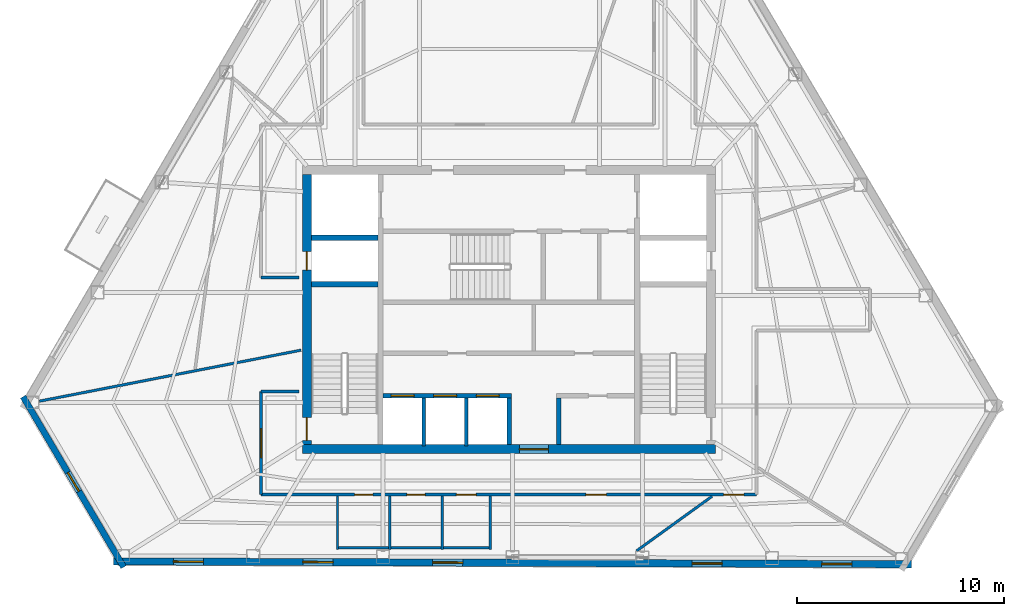
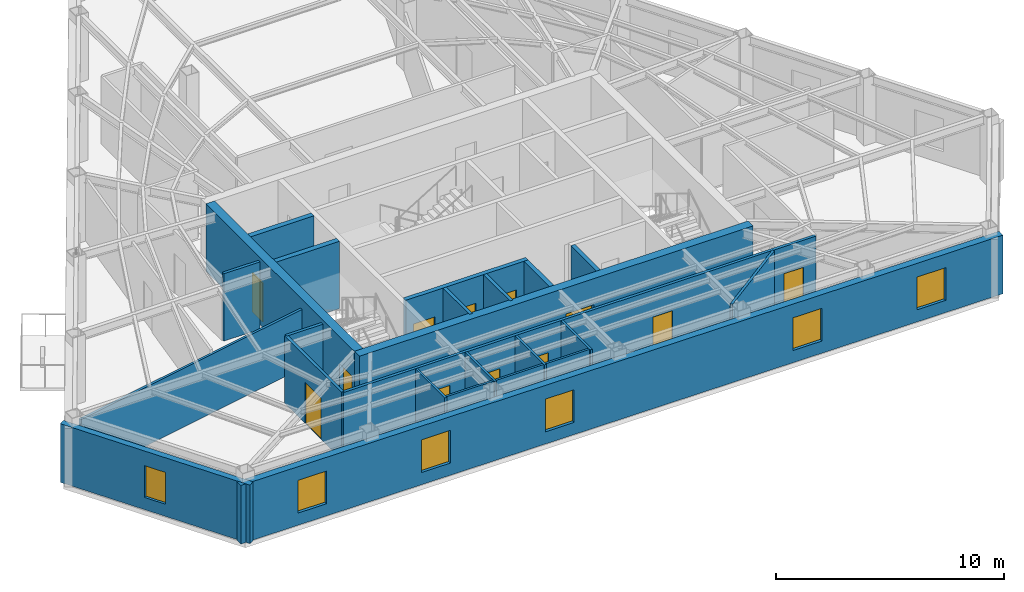
# One storey, part 6 of 10: 22 walls, 12 doors, 6 windows, 18 openings.
"""IFC4 building model written with IfcOpenShell, lengths in metres."""

from ifc_helpers import new_model, si_unit, direction, frame, frame_2d, origin, place, context, subcontext, project, spatial, rectangle, extrude, material, layer, layer_set, type_object, element, fill, save


model = new_model("IFC4")

# Units and contexts
model_context = context("Model", 3, precision=1e-05, world=origin(), true_north=direction((0.0, 1.0)))
body_context = subcontext(model_context, "Body", "Model", "MODEL_VIEW")
ifc_project = project(units=[si_unit("LENGTHUNIT", "METRE"), si_unit("AREAUNIT", "SQUARE_METRE"), si_unit("VOLUMEUNIT", "CUBIC_METRE"), si_unit("PLANEANGLEUNIT", "RADIAN"), si_unit("MASSUNIT", "GRAM", prefix="KILO")], contexts=[model_context])

# Site, building, storey
site_placement = place(None, origin())
site = spatial("IfcSite", under=ifc_project, at=site_placement, CompositionType="ELEMENT")
building_placement = place(site_placement, origin())
building = spatial("IfcBuilding", under=site, at=building_placement, Name="Kavelnor Concourse Tower", CompositionType="ELEMENT")
storey_placement = place(building_placement, frame((0.0, 0.0, 199.64990234375)))
storey = spatial("IfcBuildingStorey", under=building, at=storey_placement, Name="L50", CompositionType="ELEMENT", Elevation=199.64990234375)

# Wall, opening, door
ifc_material_1 = material(Name="Concrete C50/60", Category="concrete")
ifc_layer_1 = layer(ifc_material_1, 0.43994140625, Name="Concrete C50/60")
ifc_layer_set_1 = layer_set([ifc_layer_1], Name="Concrete C50/60")
wall_type_1 = type_object("IfcWallType", Name="WL-CORE-Z3-440", PredefinedType="SOLIDWALL", material=ifc_layer_set_1)
wall_1_placement = place(storey_placement, frame((28.0400390625, 9.3798828125, 0.0), z_axis=(0.0, 0.0, 1.0), x_axis=(1.0, 0.0, 0.0)))
wall_1 = element("IfcWall", 1, at=wall_1_placement, inside=storey, type_object=wall_type_1, Name="L50 Central Core South Shear Wall", PredefinedType="SOLIDWALL", context=body_context, shape_type="SweptSolid", body=[
    extrude(rectangle(XDim=19.919921875, YDim=0.43994140625, at=frame_2d((9.9599609375, 0.0))), origin(), (0.0, 0.0, 1.0), 3.60009765625),
])
opening_1_placement = place(wall_1_placement, frame((10.4599609375, 0.0, 0.0)))
opening_1 = element("IfcOpeningElement", 2, at=opening_1_placement, cuts=wall_1, Name="Opening SD-140", PredefinedType="OPENING", context=body_context, shape_type="SweptSolid", body=[
    extrude(rectangle(XDim=1.39990234375, YDim=2.199951171875, at=frame_2d((0.699951171875, 1.10009765625))), frame((0.0, 0.22998046875, 0.0), z_axis=(0.0, -1.0, 0.0), x_axis=(1.0, 0.0, 0.0)), (0.0, 0.0, 1.0), 0.4599609375),
])
ifc_material_2 = material(Name="Solid-core hardwood timber", Category="wood")
door_type_1 = type_object("IfcDoorType", Name="DR-SUITE-ENTRY-1400", OperationType="NOTDEFINED", PredefinedType="DOOR", material=ifc_material_2)
door_1_placement = place(opening_1_placement, origin())
door_1 = element("IfcDoor", 3, at=door_1_placement, inside=storey, type_object=door_type_1, Name="L50 Passenger Lift Lobby Entry Door", OperationType="SINGLE_SWING_LEFT", OverallHeight=2.199951171875, OverallWidth=1.39990234375, PredefinedType="DOOR", context=body_context, shape_type="SweptSolid", body=[
    extrude(rectangle(XDim=1.39990234375, YDim=2.199951171875, at=frame_2d((0.699951171875, 1.10009765625))), frame((0.0, 0.02490234375, 0.0), z_axis=(0.0, -1.0, 0.0), x_axis=(1.0, 0.0, 0.0)), (0.0, 0.0, 1.0), 0.050048828125),
])
fill(opening_1, door_1)

# Wall, openings, doors
wall_2_placement = place(storey_placement, frame((28.260009765625, 9.60009765625, 0.0), z_axis=(0.0, 0.0, 1.0), x_axis=(0.0, 1.0, 0.0)))
wall_2 = element("IfcWall", 4, at=wall_2_placement, inside=storey, type_object=wall_type_1, Name="L50 Central Core West Shear Wall", PredefinedType="SOLIDWALL", context=body_context, shape_type="SweptSolid", body=[
    extrude(rectangle(XDim=13.0, YDim=0.43994140625, at=frame_2d((6.5, 0.0))), origin(), (0.0, 0.0, 1.0), 3.60009765625),
])
opening_2_placement = place(wall_2_placement, frame((0.199951171875, 0.0, 0.0)))
opening_2 = element("IfcOpeningElement", 5, at=opening_2_placement, cuts=wall_2, Name="Opening FD-110", PredefinedType="OPENING", context=body_context, shape_type="SweptSolid", body=[
    extrude(rectangle(XDim=1.10009765625, YDim=2.14990234375, at=frame_2d((0.550048828125, 1.074951171875))), frame((0.0, 0.22998046875, 0.0), z_axis=(0.0, -1.0, 0.0), x_axis=(1.0, 0.0, 0.0)), (0.0, 0.0, 1.0), 0.4599609375),
])
opening_3_placement = place(wall_2_placement, frame((8.39990234375, 0.0, 0.0)))
opening_3 = element("IfcOpeningElement", 6, at=opening_3_placement, cuts=wall_2, Name="Opening FD-090", PredefinedType="OPENING", context=body_context, shape_type="SweptSolid", body=[
    extrude(rectangle(XDim=0.89990234375, YDim=2.10009765625, at=frame_2d((0.449951171875, 1.050048828125))), frame((0.0, 0.22998046875, 0.0), z_axis=(0.0, -1.0, 0.0), x_axis=(1.0, 0.0, 0.0)), (0.0, 0.0, 1.0), 0.4599609375),
])
ifc_material_3 = material(Name="Steel Grade 350", Category="steel")
door_type_2 = type_object("IfcDoorType", Name="DR-RISER-FIRE-900", OperationType="NOTDEFINED", PredefinedType="DOOR", material=ifc_material_3)
door_2_placement = place(opening_3_placement, origin())
door_2 = element("IfcDoor", 7, at=door_2_placement, inside=storey, type_object=door_type_2, Name="L50 West Riser Access Door", OperationType="SINGLE_SWING_RIGHT", OverallHeight=2.10009765625, OverallWidth=0.89990234375, PredefinedType="DOOR", context=body_context, shape_type="SweptSolid", body=[
    extrude(rectangle(XDim=0.89990234375, YDim=2.10009765625, at=frame_2d((0.449951171875, 1.050048828125))), frame((0.0, 0.02490234375, 0.0), z_axis=(0.0, -1.0, 0.0), x_axis=(1.0, 0.0, 0.0)), (0.0, 0.0, 1.0), 0.050048828125),
])
fill(opening_3, door_2)
door_type_3 = type_object("IfcDoorType", Name="DR-STAIR-FIRE-1100", OperationType="NOTDEFINED", PredefinedType="DOOR", material=ifc_material_3)
door_3_placement = place(opening_2_placement, origin())
door_3 = element("IfcDoor", 8, at=door_3_placement, inside=storey, type_object=door_type_3, Name="L50 Stair ST1 Fire Door", OperationType="SINGLE_SWING_LEFT", OverallHeight=2.14990234375, OverallWidth=1.10009765625, PredefinedType="DOOR", context=body_context, shape_type="SweptSolid", body=[
    extrude(rectangle(XDim=1.10009765625, YDim=2.14990234375, at=frame_2d((0.550048828125, 1.074951171875))), frame((0.0, 0.02490234375, 0.0), z_axis=(0.0, -1.0, 0.0), x_axis=(1.0, 0.0, 0.0)), (0.0, 0.0, 1.0), 0.050048828125),
])
fill(opening_2, door_3)

# Wall, opening, window
ifc_material_4 = material(Name="Buff ironspot clay face brick masonry", Category="masonry")
ifc_layer_2 = layer(ifc_material_4, 0.300048828125, Name="Buff ironspot clay face brick masonry")
ifc_layer_set_2 = layer_set([ifc_layer_2], Name="Buff ironspot clay face brick masonry")
wall_type_2 = type_object("IfcWallType", Name="WL-EXT-BUFF-BRICK-FOLD-300", PredefinedType="STANDARD", material=ifc_layer_set_2)
wall_3_placement = place(storey_placement, frame((19.43115234375, 3.689697265625, 0.0), z_axis=(0.0, 0.0, 1.0), x_axis=(-0.508074619141, 0.861313056551, 0.0)))
wall_3 = element("IfcWall", 9, at=wall_3_placement, inside=storey, type_object=wall_type_2, Name="L50 Exterior Brick Facade Wall E2", PredefinedType="STANDARD", context=body_context, shape_type="SweptSolid", body=[
    extrude(rectangle(XDim=9.537841796875, YDim=0.300048828125, at=frame_2d((4.76904296875, 0.0))), origin(), (0.0, 0.0, 1.0), 3.132080078125),
])
opening_4_placement = place(wall_3_placement, frame((4.243896484375, 0.0, 0.64990234375)))
opening_4 = element("IfcOpeningElement", 10, at=opening_4_placement, cuts=wall_3, Name="Opening W-06", PredefinedType="OPENING", context=body_context, shape_type="SweptSolid", body=[
    extrude(rectangle(XDim=1.050048828125, YDim=1.699951171875, at=frame_2d((0.52490234375, 0.85009765625))), frame((0.0, 0.16015625, 0.0), z_axis=(0.0, -1.0, 0.0), x_axis=(1.0, 0.0, 0.0)), (0.0, 0.0, 1.0), 0.320068359375),
])
ifc_material_5 = material(Name="Double low-E argon insulated glazing", Category="glass")
window_type_1 = type_object("IfcWindowType", Name="WIN-FOLD-1050", PartitioningType="SINGLE_PANEL", PredefinedType="WINDOW", material=ifc_material_5)
window_1_placement = place(opening_4_placement, origin())
window_1 = element("IfcWindow", 11, at=window_1_placement, inside=storey, type_object=window_type_1, Name="L50 Chamfer-Fold Facet Window C1", OverallHeight=1.699951171875, OverallWidth=1.050048828125, PartitioningType="SINGLE_PANEL", PredefinedType="WINDOW", context=body_context, shape_type="SweptSolid", body=[
    extrude(rectangle(XDim=1.050048828125, YDim=1.699951171875, at=frame_2d((0.52490234375, 0.85009765625))), frame((0.0, 0.030029296875, 0.0), z_axis=(0.0, -1.0, 0.0), x_axis=(1.0, 0.0, 0.0)), (0.0, 0.0, 1.0), 0.06005859375),
])
fill(opening_4, window_1)

# Wall, openings, windows
ifc_material_6 = material(Name="Red-ochre clay face brick masonry", Category="masonry")
ifc_layer_3 = layer(ifc_material_6, 0.35009765625, Name="Red-ochre clay face brick masonry")
ifc_layer_set_3 = layer_set([ifc_layer_3], Name="Red-ochre clay face brick masonry")
wall_type_3 = type_object("IfcWallType", Name="WL-EXT-RED-BRICK-PIER-350", PredefinedType="STANDARD", material=ifc_layer_set_3)
wall_4_placement = place(storey_placement, frame((57.40185546875, 3.828369140625, 0.0), z_axis=(0.0, 0.0, 1.0), x_axis=(-0.999993611248, 0.003574557642, 0.0)))
wall_4 = element("IfcWall", 12, at=wall_4_placement, inside=storey, type_object=wall_type_3, Name="L50 Exterior Brick Facade Wall E3", PredefinedType="STANDARD", context=body_context, shape_type="SweptSolid", body=[
    extrude(rectangle(XDim=38.45263671875, YDim=0.35009765625, at=frame_2d((19.226318359375, 0.0))), origin(), (0.0, 0.0, 1.0), 3.132080078125),
])
opening_5_placement = place(wall_4_placement, frame((34.12939453125, 0.0, 0.64990234375)))
opening_5 = element("IfcOpeningElement", 13, at=opening_5_placement, cuts=wall_4, Name="Opening W-03", PredefinedType="OPENING", context=body_context, shape_type="SweptSolid", body=[
    extrude(rectangle(XDim=1.449951171875, YDim=1.75, at=frame_2d((0.72509765625, 0.875))), frame((0.0, 0.18505859375, 0.0), z_axis=(0.0, -1.0, 0.0), x_axis=(1.0, 0.0, 0.0)), (0.0, 0.0, 1.0), 0.3701171875),
])
opening_6_placement = place(wall_4_placement, frame((27.87890625, 0.0, 0.64990234375)))
opening_6 = element("IfcOpeningElement", 14, at=opening_6_placement, cuts=wall_4, Name="Opening W-03", PredefinedType="OPENING", context=body_context, shape_type="SweptSolid", body=[
    extrude(rectangle(XDim=1.449951171875, YDim=1.75, at=frame_2d((0.72509765625, 0.875))), frame((0.0, 0.18505859375, 0.0), z_axis=(0.0, -1.0, 0.0), x_axis=(1.0, 0.0, 0.0)), (0.0, 0.0, 1.0), 0.3701171875),
])
opening_7_placement = place(wall_4_placement, frame((21.62841796875, 0.0, 0.64990234375)))
opening_7 = element("IfcOpeningElement", 15, at=opening_7_placement, cuts=wall_4, Name="Opening W-03", PredefinedType="OPENING", context=body_context, shape_type="SweptSolid", body=[
    extrude(rectangle(XDim=1.449951171875, YDim=1.75, at=frame_2d((0.72509765625, 0.875))), frame((0.0, 0.18505859375, 0.0), z_axis=(0.0, -1.0, 0.0), x_axis=(1.0, 0.0, 0.0)), (0.0, 0.0, 1.0), 0.3701171875),
])
opening_8_placement = place(wall_4_placement, frame((9.127197265625, 0.0, 0.64990234375)))
opening_8 = element("IfcOpeningElement", 16, at=opening_8_placement, cuts=wall_4, Name="Opening W-03", PredefinedType="OPENING", context=body_context, shape_type="SweptSolid", body=[
    extrude(rectangle(XDim=1.449951171875, YDim=1.75, at=frame_2d((0.72509765625, 0.875))), frame((0.0, 0.18505859375, 0.0), z_axis=(0.0, -1.0, 0.0), x_axis=(1.0, 0.0, 0.0)), (0.0, 0.0, 1.0), 0.3701171875),
])
opening_9_placement = place(wall_4_placement, frame((2.876708984375, 0.0, 0.64990234375)))
opening_9 = element("IfcOpeningElement", 17, at=opening_9_placement, cuts=wall_4, Name="Opening W-03", PredefinedType="OPENING", context=body_context, shape_type="SweptSolid", body=[
    extrude(rectangle(XDim=1.449951171875, YDim=1.75, at=frame_2d((0.72509765625, 0.875))), frame((0.0, 0.18505859375, 0.0), z_axis=(0.0, -1.0, 0.0), x_axis=(1.0, 0.0, 0.0)), (0.0, 0.0, 1.0), 0.3701171875),
])
window_type_2 = type_object("IfcWindowType", Name="WIN-PIER-Z3-1500", PartitioningType="SINGLE_PANEL", PredefinedType="WINDOW", material=ifc_material_5)
window_2_placement = place(opening_5_placement, origin())
window_2 = element("IfcWindow", 18, at=window_2_placement, inside=storey, type_object=window_type_2, Name="L50 Deep-Set Brick Pier Window F1-B0", OverallHeight=1.75, OverallWidth=1.449951171875, PartitioningType="SINGLE_PANEL", PredefinedType="WINDOW", context=body_context, shape_type="SweptSolid", body=[
    extrude(rectangle(XDim=1.449951171875, YDim=1.75, at=frame_2d((0.72509765625, 0.875))), frame((0.0, 0.030029296875, 0.0), z_axis=(0.0, -1.0, 0.0), x_axis=(1.0, 0.0, 0.0)), (0.0, 0.0, 1.0), 0.06005859375),
])
fill(opening_5, window_2)
window_3_placement = place(opening_6_placement, origin())
window_3 = element("IfcWindow", 19, at=window_3_placement, inside=storey, type_object=window_type_2, Name="L50 Deep-Set Brick Pier Window F1-B1", OverallHeight=1.75, OverallWidth=1.449951171875, PartitioningType="SINGLE_PANEL", PredefinedType="WINDOW", context=body_context, shape_type="SweptSolid", body=[
    extrude(rectangle(XDim=1.449951171875, YDim=1.75, at=frame_2d((0.72509765625, 0.875))), frame((0.0, 0.030029296875, 0.0), z_axis=(0.0, -1.0, 0.0), x_axis=(1.0, 0.0, 0.0)), (0.0, 0.0, 1.0), 0.06005859375),
])
fill(opening_6, window_3)
window_4_placement = place(opening_7_placement, origin())
window_4 = element("IfcWindow", 20, at=window_4_placement, inside=storey, type_object=window_type_2, Name="L50 Deep-Set Brick Pier Window F1-B2", OverallHeight=1.75, OverallWidth=1.449951171875, PartitioningType="SINGLE_PANEL", PredefinedType="WINDOW", context=body_context, shape_type="SweptSolid", body=[
    extrude(rectangle(XDim=1.449951171875, YDim=1.75, at=frame_2d((0.72509765625, 0.875))), frame((0.0, 0.030029296875, 0.0), z_axis=(0.0, -1.0, 0.0), x_axis=(1.0, 0.0, 0.0)), (0.0, 0.0, 1.0), 0.06005859375),
])
fill(opening_7, window_4)
window_5_placement = place(opening_8_placement, origin())
window_5 = element("IfcWindow", 21, at=window_5_placement, inside=storey, type_object=window_type_2, Name="L50 Deep-Set Brick Pier Window F1-B4", OverallHeight=1.75, OverallWidth=1.449951171875, PartitioningType="SINGLE_PANEL", PredefinedType="WINDOW", context=body_context, shape_type="SweptSolid", body=[
    extrude(rectangle(XDim=1.449951171875, YDim=1.75, at=frame_2d((0.72509765625, 0.875))), frame((0.0, 0.030029296875, 0.0), z_axis=(0.0, -1.0, 0.0), x_axis=(1.0, 0.0, 0.0)), (0.0, 0.0, 1.0), 0.06005859375),
])
fill(opening_8, window_5)
window_6_placement = place(opening_9_placement, origin())
window_6 = element("IfcWindow", 22, at=window_6_placement, inside=storey, type_object=window_type_2, Name="L50 Deep-Set Brick Pier Window F1-B5", OverallHeight=1.75, OverallWidth=1.449951171875, PartitioningType="SINGLE_PANEL", PredefinedType="WINDOW", context=body_context, shape_type="SweptSolid", body=[
    extrude(rectangle(XDim=1.449951171875, YDim=1.75, at=frame_2d((0.72509765625, 0.875))), frame((0.0, 0.030029296875, 0.0), z_axis=(0.0, -1.0, 0.0), x_axis=(1.0, 0.0, 0.0)), (0.0, 0.0, 1.0), 0.06005859375),
])
fill(opening_9, window_6)

# Wall
ifc_material_7 = material(Name="Gypsum plasterboard on light-gauge steel studs", Category="steel")
ifc_layer_4 = layer(ifc_material_7, 0.14501953125, Name="Gypsum plasterboard on light-gauge steel studs")
ifc_layer_set_4 = layer_set([ifc_layer_4], Name="Gypsum plasterboard on light-gauge steel studs")
wall_type_4 = type_object("IfcWallType", Name="WL-INT-CORR-145", PredefinedType="PARTITIONING", material=ifc_layer_set_4)
wall_5_placement = place(storey_placement, frame((27.8798828125, 17.64990234375, 0.0), z_axis=(0.0, 0.0, 1.0), x_axis=(-1.0, 0.0, 0.0)))
element("IfcWall", 23, at=wall_5_placement, inside=storey, type_object=wall_type_4, Name="L50 Corridor Wall WL-L50-CR-01", PredefinedType="PARTITIONING", context=body_context, shape_type="SweptSolid", body=[
    extrude(rectangle(XDim=1.81982421875, YDim=0.14501953125, at=frame_2d((0.909912109375, 0.0))), origin(), (0.0, 0.0, 1.0), 3.60009765625),
])

# Wall, openings, doors
wall_6_placement = place(storey_placement, frame((49.93994140625, 7.179931640625, 0.0), z_axis=(0.0, 0.0, 1.0), x_axis=(-1.0, 0.0, 0.0)))
wall_6 = element("IfcWall", 24, at=wall_6_placement, inside=storey, type_object=wall_type_4, Name="L50 Corridor Wall WL-L50-CR-17", PredefinedType="PARTITIONING", context=body_context, shape_type="SweptSolid", body=[
    extrude(rectangle(XDim=23.8798828125, YDim=0.14501953125, at=frame_2d((11.93994140625, 0.0))), origin(), (0.0, 0.0, 1.0), 3.60009765625),
])
opening_10_placement = place(wall_6_placement, frame((18.5, 0.0, 0.0)))
opening_10 = element("IfcOpeningElement", 25, at=opening_10_placement, cuts=wall_6, Name="Opening WD-088", PredefinedType="OPENING", context=body_context, shape_type="SweptSolid", body=[
    extrude(rectangle(XDim=0.8798828125, YDim=2.10009765625, at=frame_2d((0.43994140625, 1.050048828125))), frame((0.0, 0.08251953125, 0.0), z_axis=(0.0, -1.0, 0.0), x_axis=(1.0, 0.0, 0.0)), (0.0, 0.0, 1.0), 0.1650390625),
])
opening_11_placement = place(wall_6_placement, frame((15.97998046875, 0.0, 0.0)))
opening_11 = element("IfcOpeningElement", 26, at=opening_11_placement, cuts=wall_6, Name="Opening WD-088", PredefinedType="OPENING", context=body_context, shape_type="SweptSolid", body=[
    extrude(rectangle(XDim=0.8798828125, YDim=2.10009765625, at=frame_2d((0.43994140625, 1.050048828125))), frame((0.0, 0.08251953125, 0.0), z_axis=(0.0, -1.0, 0.0), x_axis=(1.0, 0.0, 0.0)), (0.0, 0.0, 1.0), 0.1650390625),
])
opening_12_placement = place(wall_6_placement, frame((13.52001953125, 0.0, 0.0)))
opening_12 = element("IfcOpeningElement", 27, at=opening_12_placement, cuts=wall_6, Name="Opening WD-096", PredefinedType="OPENING", context=body_context, shape_type="SweptSolid", body=[
    extrude(rectangle(XDim=0.9599609375, YDim=2.10009765625, at=frame_2d((0.47998046875, 1.050048828125))), frame((0.0, 0.08251953125, 0.0), z_axis=(0.0, -1.0, 0.0), x_axis=(1.0, 0.0, 0.0)), (0.0, 0.0, 1.0), 0.1650390625),
])
opening_13_placement = place(wall_6_placement, frame((7.249267578125, 0.0, 0.0)))
opening_13 = element("IfcOpeningElement", 28, at=opening_13_placement, cuts=wall_6, Name="Opening OD-098", PredefinedType="OPENING", context=body_context, shape_type="SweptSolid", body=[
    extrude(rectangle(XDim=0.97998046875, YDim=2.14990234375, at=frame_2d((0.489990234375, 1.074951171875))), frame((0.0, 0.08251953125, 0.0), z_axis=(0.0, -1.0, 0.0), x_axis=(1.0, 0.0, 0.0)), (0.0, 0.0, 1.0), 0.1650390625),
])
opening_14_placement = place(wall_6_placement, frame((0.616455078125, 0.0, 0.0)))
opening_14 = element("IfcOpeningElement", 29, at=opening_14_placement, cuts=wall_6, Name="Opening OD-098", PredefinedType="OPENING", context=body_context, shape_type="SweptSolid", body=[
    extrude(rectangle(XDim=0.97998046875, YDim=2.14990234375, at=frame_2d((0.489990234375, 1.074951171875))), frame((0.0, 0.08251953125, 0.0), z_axis=(0.0, -1.0, 0.0), x_axis=(1.0, 0.0, 0.0)), (0.0, 0.0, 1.0), 0.1650390625),
])
door_type_4 = type_object("IfcDoorType", Name="DR-OFFICE-980", OperationType="NOTDEFINED", PredefinedType="DOOR", material=ifc_material_2)
door_4_placement = place(opening_13_placement, origin())
door_4 = element("IfcDoor", 30, at=door_4_placement, inside=storey, type_object=door_type_4, Name="L50 Tenant Bookstore Retail Shop 06 Door", OperationType="SINGLE_SWING_LEFT", OverallHeight=2.14990234375, OverallWidth=0.97998046875, PredefinedType="DOOR", context=body_context, shape_type="SweptSolid", body=[
    extrude(rectangle(XDim=0.97998046875, YDim=2.14990234375, at=frame_2d((0.489990234375, 1.074951171875))), frame((0.0, 0.02490234375, 0.0), z_axis=(0.0, -1.0, 0.0), x_axis=(1.0, 0.0, 0.0)), (0.0, 0.0, 1.0), 0.050048828125),
])
fill(opening_13, door_4)
door_5_placement = place(opening_14_placement, origin())
door_5 = element("IfcDoor", 31, at=door_5_placement, inside=storey, type_object=door_type_4, Name="L50 Workplace Open Office 07 Door", OperationType="SINGLE_SWING_RIGHT", OverallHeight=2.14990234375, OverallWidth=0.97998046875, PredefinedType="DOOR", context=body_context, shape_type="SweptSolid", body=[
    extrude(rectangle(XDim=0.97998046875, YDim=2.14990234375, at=frame_2d((0.489990234375, 1.074951171875))), frame((0.0, 0.02490234375, 0.0), z_axis=(0.0, -1.0, 0.0), x_axis=(1.0, 0.0, 0.0)), (0.0, 0.0, 1.0), 0.050048828125),
])
fill(opening_14, door_5)
door_type_5 = type_object("IfcDoorType", Name="DR-WC-ACC-960", OperationType="NOTDEFINED", PredefinedType="DOOR", material=ifc_material_2)
door_6_placement = place(opening_12_placement, origin())
door_6 = element("IfcDoor", 32, at=door_6_placement, inside=storey, type_object=door_type_5, Name="L50 Accessible WC Door", OperationType="SINGLE_SWING_LEFT", OverallHeight=2.10009765625, OverallWidth=0.9599609375, PredefinedType="DOOR", context=body_context, shape_type="SweptSolid", body=[
    extrude(rectangle(XDim=0.9599609375, YDim=2.10009765625, at=frame_2d((0.47998046875, 1.050048828125))), frame((0.0, 0.02490234375, 0.0), z_axis=(0.0, -1.0, 0.0), x_axis=(1.0, 0.0, 0.0)), (0.0, 0.0, 1.0), 0.050048828125),
])
fill(opening_12, door_6)
door_type_6 = type_object("IfcDoorType", Name="DR-WC-STD-880", OperationType="NOTDEFINED", PredefinedType="DOOR", material=ifc_material_2)
door_7_placement = place(opening_10_placement, origin())
door_7 = element("IfcDoor", 33, at=door_7_placement, inside=storey, type_object=door_type_6, Name="L50 Male WC Door", OperationType="SINGLE_SWING_LEFT", OverallHeight=2.10009765625, OverallWidth=0.8798828125, PredefinedType="DOOR", context=body_context, shape_type="SweptSolid", body=[
    extrude(rectangle(XDim=0.8798828125, YDim=2.10009765625, at=frame_2d((0.43994140625, 1.050048828125))), frame((0.0, 0.02490234375, 0.0), z_axis=(0.0, -1.0, 0.0), x_axis=(1.0, 0.0, 0.0)), (0.0, 0.0, 1.0), 0.050048828125),
])
fill(opening_10, door_7)
door_8_placement = place(opening_11_placement, origin())
door_8 = element("IfcDoor", 34, at=door_8_placement, inside=storey, type_object=door_type_6, Name="L50 Female WC Door", OperationType="SINGLE_SWING_RIGHT", OverallHeight=2.10009765625, OverallWidth=0.8798828125, PredefinedType="DOOR", context=body_context, shape_type="SweptSolid", body=[
    extrude(rectangle(XDim=0.8798828125, YDim=2.10009765625, at=frame_2d((0.43994140625, 1.050048828125))), frame((0.0, 0.02490234375, 0.0), z_axis=(0.0, -1.0, 0.0), x_axis=(1.0, 0.0, 0.0)), (0.0, 0.0, 1.0), 0.050048828125),
])
fill(opening_11, door_8)

# Wall, opening, door
wall_7_placement = place(storey_placement, frame((26.06005859375, 7.179931640625, 0.0), z_axis=(0.0, 0.0, 1.0), x_axis=(0.0, 1.0, 0.0)))
wall_7 = element("IfcWall", 35, at=wall_7_placement, inside=storey, type_object=wall_type_4, Name="L50 Corridor Wall WL-L50-CR-18", PredefinedType="PARTITIONING", context=body_context, shape_type="SweptSolid", body=[
    extrude(rectangle(XDim=4.969970703125, YDim=0.14501953125, at=frame_2d((2.48486328125, 0.0))), origin(), (0.0, 0.0, 1.0), 3.60009765625),
])
opening_15_placement = place(wall_7_placement, frame((1.784912109375, 0.0, 0.0)))
opening_15 = element("IfcOpeningElement", 36, at=opening_15_placement, cuts=wall_7, Name="Opening SD-140", PredefinedType="OPENING", context=body_context, shape_type="SweptSolid", body=[
    extrude(rectangle(XDim=1.39990234375, YDim=2.199951171875, at=frame_2d((0.699951171875, 1.10009765625))), frame((0.0, 0.08251953125, 0.0), z_axis=(0.0, -1.0, 0.0), x_axis=(1.0, 0.0, 0.0)), (0.0, 0.0, 1.0), 0.1650390625),
])
door_9_placement = place(opening_15_placement, origin())
door_9 = element("IfcDoor", 37, at=door_9_placement, inside=storey, type_object=door_type_1, Name="L50 Tenant Bookstore Retail Shop 05 Door", OperationType="SINGLE_SWING_RIGHT", OverallHeight=2.199951171875, OverallWidth=1.39990234375, PredefinedType="DOOR", context=body_context, shape_type="SweptSolid", body=[
    extrude(rectangle(XDim=1.39990234375, YDim=2.199951171875, at=frame_2d((0.699951171875, 1.10009765625))), frame((0.0, 0.02490234375, 0.0), z_axis=(0.0, -1.0, 0.0), x_axis=(1.0, 0.0, 0.0)), (0.0, 0.0, 1.0), 0.050048828125),
])
fill(opening_15, door_9)

# Walls
wall_8_placement = place(storey_placement, frame((26.06005859375, 12.14990234375, 0.0), z_axis=(0.0, 0.0, 1.0), x_axis=(1.0, 0.0, 0.0)))
element("IfcWall", 38, at=wall_8_placement, inside=storey, type_object=wall_type_4, Name="L50 Corridor Wall WL-L50-CR-19", PredefinedType="PARTITIONING", context=body_context, shape_type="SweptSolid", body=[
    extrude(rectangle(XDim=1.81982421875, YDim=0.14501953125, at=frame_2d((0.909912109375, 0.0))), origin(), (0.0, 0.0, 1.0), 3.60009765625),
])
ifc_layer_5 = layer(ifc_material_7, 0.1650390625, Name="Gypsum plasterboard on light-gauge steel studs")
ifc_layer_set_5 = layer_set([ifc_layer_5], Name="Gypsum plasterboard on light-gauge steel studs")
wall_type_5 = type_object("IfcWallType", Name="WL-INT-FIRE-165", PredefinedType="PARTITIONING", material=ifc_layer_set_5)
for number, where, z_axis, x_axis, name in (
    (39, (33.89990234375, 9.52001953125, 0.0), (0.0, 0.0, 1.0), (0.0, 1.0, 0.0), "L50 Lift Shaft Divider LP7"),
    (40, (35.949951171875, 9.52001953125, 0.0), (0.0, 0.0, 1.0), (0.0, 1.0, 0.0), "L50 Lift Shaft Divider LP8"),
):
    element("IfcWall", number, at=place(storey_placement, frame(where, z_axis=z_axis, x_axis=x_axis)), inside=storey, type_object=wall_type_5, Name=name, PredefinedType="PARTITIONING", context=body_context, shape_type="SweptSolid", body=[
        extrude(rectangle(XDim=2.320068359375, YDim=0.1650390625, at=frame_2d((1.16015625, 0.0))), origin(), (0.0, 0.0, 1.0), 3.60009765625),
    ])
ifc_layer_6 = layer(ifc_material_7, 0.125, Name="Gypsum plasterboard on light-gauge steel studs")
ifc_layer_set_6 = layer_set([ifc_layer_6], Name="Gypsum plasterboard on light-gauge steel studs")
wall_type_6 = type_object("IfcWallType", Name="WL-INT-SUITE-125", PredefinedType="PARTITIONING", material=ifc_layer_set_6)
wall_9_placement = place(storey_placement, frame((27.97998046875, 14.14599609375, 0.0), z_axis=(0.0, 0.0, 1.0), x_axis=(-0.981510799249, -0.191406768317, 0.0)))
element("IfcWall", 41, at=wall_9_placement, inside=storey, type_object=wall_type_6, Name="L50 Radial Suite Partition 04", PredefinedType="PARTITIONING", context=body_context, shape_type="SweptSolid", body=[
    extrude(rectangle(XDim=12.846923828125, YDim=0.125, at=frame_2d((6.42333984375, 0.0))), origin(), (0.0, 0.0, 1.0), 3.14111328125),
])
wall_10_placement = place(storey_placement, frame((44.149169921875, 4.472900390625, 0.0), z_axis=(0.0, 0.0, 1.0), x_axis=(0.8106218177, 0.585570037373, 0.0)))
element("IfcWall", 42, at=wall_10_placement, inside=storey, type_object=wall_type_6, Name="L50 Suite Subdivision Partition 05", PredefinedType="PARTITIONING", context=body_context, shape_type="SweptSolid", body=[
    extrude(rectangle(XDim=4.48583984375, YDim=0.125, at=frame_2d((2.242919921875, 0.0))), origin(), (0.0, 0.0, 1.0), 3.60009765625),
])
ifc_layer_7 = layer(ifc_material_7, 0.110107421875, Name="Gypsum plasterboard on light-gauge steel studs")
ifc_layer_set_7 = layer_set([ifc_layer_7], Name="Gypsum plasterboard on light-gauge steel studs")
wall_type_7 = type_object("IfcWallType", Name="WL-INT-WC-110", PredefinedType="PLUMBINGWALL", material=ifc_layer_set_7)
for number, where, z_axis, x_axis, name in (
    (43, (29.739990234375, 4.530029296875, 0.0), (0.0, 0.0, 1.0), (0.0, 1.0, 0.0), "L50 Sanitary Partition WL-L50-WC-W"),
    (44, (32.260009765625, 4.530029296875, 0.0), (0.0, 0.0, 1.0), (0.0, 1.0, 0.0), "L50 Sanitary Partition WL-L50-WC-D1"),
    (45, (34.780029296875, 4.530029296875, 0.0), (0.0, 0.0, 1.0), (0.0, 1.0, 0.0), "L50 Sanitary Partition WL-L50-WC-D2"),
    (46, (37.10009765625, 4.530029296875, 0.0), (0.0, 0.0, 1.0), (0.0, 1.0, 0.0), "L50 Sanitary Partition WL-L50-WC-E"),
):
    element("IfcWall", number, at=place(storey_placement, frame(where, z_axis=z_axis, x_axis=x_axis)), inside=storey, type_object=wall_type_7, Name=name, PredefinedType="PLUMBINGWALL", context=body_context, shape_type="SweptSolid", body=[
        extrude(rectangle(XDim=2.580078125, YDim=0.110107421875, at=frame_2d((1.2900390625, 0.0))), origin(), (0.0, 0.0, 1.0), 3.60009765625),
    ])
wall_11_placement = place(storey_placement, frame((29.68994140625, 4.6298828125, 0.0), z_axis=(0.0, 0.0, 1.0), x_axis=(1.0, 0.0, 0.0)))
element("IfcWall", 47, at=wall_11_placement, inside=storey, type_object=wall_type_7, Name="L50 Sanitary Partition WL-L50-WC-S", PredefinedType="PLUMBINGWALL", context=body_context, shape_type="SweptSolid", body=[
    extrude(rectangle(XDim=7.4599609375, YDim=0.110107421875, at=frame_2d((3.72998046875, 0.0))), origin(), (0.0, 0.0, 1.0), 3.60009765625),
])

# Wall, openings, doors
ifc_layer_8 = layer(ifc_material_1, 0.219970703125, Name="Concrete C50/60")
ifc_layer_set_8 = layer_set([ifc_layer_8], Name="Concrete C50/60")
wall_type_8 = type_object("IfcWallType", Name="WL-SHAFT-220", PredefinedType="SOLIDWALL", material=ifc_layer_set_8)
wall_12_placement = place(storey_placement, frame((31.93994140625, 11.949951171875, 0.0), z_axis=(0.0, 0.0, 1.0), x_axis=(1.0, 0.0, 0.0)))
wall_12 = element("IfcWall", 48, at=wall_12_placement, inside=storey, type_object=wall_type_8, Name="L50 High-Rise Lift Bank North Wall", PredefinedType="SOLIDWALL", context=body_context, shape_type="SweptSolid", body=[
    extrude(rectangle(XDim=6.18994140625, YDim=0.219970703125, at=frame_2d((3.094970703125, 0.0))), origin(), (0.0, 0.0, 1.0), 3.60009765625),
])
opening_16_placement = place(wall_12_placement, frame((0.385009765625, 0.0, 0.0)))
opening_16 = element("IfcOpeningElement", 49, at=opening_16_placement, cuts=wall_12, Name="Opening LD-110", PredefinedType="OPENING", context=body_context, shape_type="SweptSolid", body=[
    extrude(rectangle(XDim=1.10009765625, YDim=2.199951171875, at=frame_2d((0.550048828125, 1.10009765625))), frame((0.0, 0.1201171875, 0.0), z_axis=(0.0, -1.0, 0.0), x_axis=(1.0, 0.0, 0.0)), (0.0, 0.0, 1.0), 0.239990234375),
])
opening_17_placement = place(wall_12_placement, frame((2.43505859375, 0.0, 0.0)))
opening_17 = element("IfcOpeningElement", 50, at=opening_17_placement, cuts=wall_12, Name="Opening LD-110", PredefinedType="OPENING", context=body_context, shape_type="SweptSolid", body=[
    extrude(rectangle(XDim=1.10009765625, YDim=2.199951171875, at=frame_2d((0.550048828125, 1.10009765625))), frame((0.0, 0.1201171875, 0.0), z_axis=(0.0, -1.0, 0.0), x_axis=(1.0, 0.0, 0.0)), (0.0, 0.0, 1.0), 0.239990234375),
])
opening_18_placement = place(wall_12_placement, frame((4.485107421875, 0.0, 0.0)))
opening_18 = element("IfcOpeningElement", 51, at=opening_18_placement, cuts=wall_12, Name="Opening LD-110", PredefinedType="OPENING", context=body_context, shape_type="SweptSolid", body=[
    extrude(rectangle(XDim=1.10009765625, YDim=2.199951171875, at=frame_2d((0.550048828125, 1.10009765625))), frame((0.0, 0.1201171875, 0.0), z_axis=(0.0, -1.0, 0.0), x_axis=(1.0, 0.0, 0.0)), (0.0, 0.0, 1.0), 0.239990234375),
])
door_type_7 = type_object("IfcDoorType", Name="DR-LIFT-SLIDING-1100", OperationType="NOTDEFINED", PredefinedType="DOOR", material=ifc_material_3)
door_10_placement = place(opening_16_placement, origin())
door_10 = element("IfcDoor", 52, at=door_10_placement, inside=storey, type_object=door_type_7, Name="L50 Lift LP7 Landing Door", OperationType="DOUBLE_DOOR_SLIDING", OverallHeight=2.199951171875, OverallWidth=1.10009765625, PredefinedType="DOOR", context=body_context, shape_type="SweptSolid", body=[
    extrude(rectangle(XDim=1.10009765625, YDim=2.199951171875, at=frame_2d((0.550048828125, 1.10009765625))), frame((0.0, 0.02490234375, 0.0), z_axis=(0.0, -1.0, 0.0), x_axis=(1.0, 0.0, 0.0)), (0.0, 0.0, 1.0), 0.050048828125),
])
fill(opening_16, door_10)
door_11_placement = place(opening_17_placement, origin())
door_11 = element("IfcDoor", 53, at=door_11_placement, inside=storey, type_object=door_type_7, Name="L50 Lift LP8 Landing Door", OperationType="DOUBLE_DOOR_SLIDING", OverallHeight=2.199951171875, OverallWidth=1.10009765625, PredefinedType="DOOR", context=body_context, shape_type="SweptSolid", body=[
    extrude(rectangle(XDim=1.10009765625, YDim=2.199951171875, at=frame_2d((0.550048828125, 1.10009765625))), frame((0.0, 0.02490234375, 0.0), z_axis=(0.0, -1.0, 0.0), x_axis=(1.0, 0.0, 0.0)), (0.0, 0.0, 1.0), 0.050048828125),
])
fill(opening_17, door_11)
door_12_placement = place(opening_18_placement, origin())
door_12 = element("IfcDoor", 54, at=door_12_placement, inside=storey, type_object=door_type_7, Name="L50 Lift LP9 Landing Door", OperationType="DOUBLE_DOOR_SLIDING", OverallHeight=2.199951171875, OverallWidth=1.10009765625, PredefinedType="DOOR", context=body_context, shape_type="SweptSolid", body=[
    extrude(rectangle(XDim=1.10009765625, YDim=2.199951171875, at=frame_2d((0.550048828125, 1.10009765625))), frame((0.0, 0.02490234375, 0.0), z_axis=(0.0, -1.0, 0.0), x_axis=(1.0, 0.0, 0.0)), (0.0, 0.0, 1.0), 0.050048828125),
])
fill(opening_18, door_12)

# Walls
for number, where, z_axis, x_axis, name in (
    (55, (38.02001953125, 9.60009765625, 0.0), (0.0, 0.0, 1.0), (0.0, 1.0, 0.0), "L50 Lift Lobby Throat West Wall"),
    (56, (40.389892578125, 9.60009765625, 0.0), (0.0, 0.0, 1.0), (0.0, 1.0, 0.0), "L50 Lift Lobby Throat East Wall"),
):
    element("IfcWall", number, at=place(storey_placement, frame(where, z_axis=z_axis, x_axis=x_axis)), inside=storey, type_object=wall_type_8, Name=name, PredefinedType="SOLIDWALL", context=body_context, shape_type="SweptSolid", body=[
        extrude(rectangle(XDim=2.239990234375, YDim=0.219970703125, at=frame_2d((1.1201171875, 0.0))), origin(), (0.0, 0.0, 1.0), 3.60009765625),
    ])
ifc_layer_9 = layer(ifc_material_1, 0.260009765625, Name="Concrete C50/60")
ifc_layer_set_9 = layer_set([ifc_layer_9], Name="Concrete C50/60")
wall_type_9 = type_object("IfcWallType", Name="WL-SHAFT-260", PredefinedType="SHEAR", material=ifc_layer_set_9)
for number, where, z_axis, x_axis, name in (
    (57, (28.47998046875, 17.330078125, 0.0), (0.0, 0.0, 1.0), (1.0, 0.0, 0.0), "L50 Stair ST1 North Shaft Wall"),
    (58, (28.47998046875, 19.570068359375, 0.0), (0.0, 0.0, 1.0), (1.0, 0.0, 0.0), "L50 Emergency Lift FL1 South Shaft Wall"),
):
    element("IfcWall", number, at=place(storey_placement, frame(where, z_axis=z_axis, x_axis=x_axis)), inside=storey, type_object=wall_type_9, Name=name, PredefinedType="SHEAR", context=body_context, shape_type="SweptSolid", body=[
        extrude(rectangle(XDim=3.199951171875, YDim=0.260009765625, at=frame_2d((1.60009765625, 0.0))), origin(), (0.0, 0.0, 1.0), 3.60009765625),
    ])

save(model, "model.ifc")
